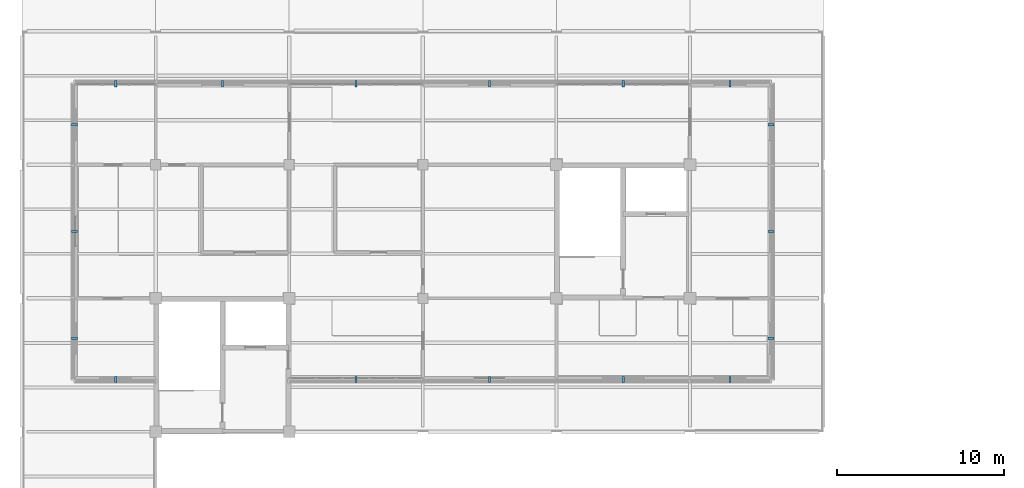
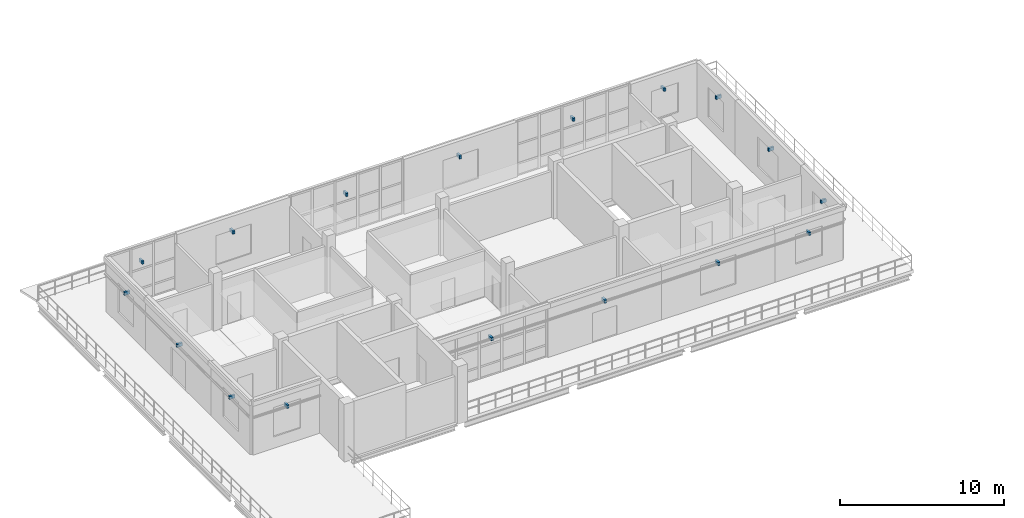
# One storey, part 19 of 24: 17 discrete accessories.
"""IFC4 building model written with IfcOpenShell, lengths in metres."""

from ifc_helpers import new_model, si_unit, derived_unit, direction, frame, origin, origin_2d, place, context, subcontext, project, spatial, rectangle, extrude, material, type_object, element, save


model = new_model("IFC4")

# Units and contexts
model_context = context("Model", 3, precision=1e-05, world=origin(), true_north=direction((0.0, 1.0)))
body_context = subcontext(model_context, "Body", "Model", "MODEL_VIEW")
ifc_project = project(units=[si_unit("LENGTHUNIT", "METRE"), si_unit("AREAUNIT", "SQUARE_METRE"), si_unit("VOLUMEUNIT", "CUBIC_METRE"), si_unit("PLANEANGLEUNIT", "RADIAN"), si_unit("MASSUNIT", "GRAM", prefix="KILO"), derived_unit("THERMALTRANSMITTANCEUNIT", [(si_unit("MASSUNIT", "GRAM", prefix="KILO"), 1), (si_unit("TIMEUNIT", "SECOND"), -3), (si_unit("THERMODYNAMICTEMPERATUREUNIT", "KELVIN"), -1)])], contexts=[model_context])

# Site, building, storey
site_placement = place(None, origin())
site = spatial("IfcSite", under=ifc_project, at=site_placement, CompositionType="ELEMENT")
building_placement = place(site_placement, origin())
building = spatial("IfcBuilding", under=site, at=building_placement, Name="Veyamyaing Civic Hall", CompositionType="ELEMENT")
storey_placement = place(building_placement, frame((0.0, 0.0, 25.739990234375)))
storey = spatial("IfcBuildingStorey", under=building, at=storey_placement, Name="L06", CompositionType="ELEMENT", Elevation=25.739990234375)

# Discrete accessories
ifc_material = material(Name="Steel S355J2", Category="steel")
discrete_accessory_type = type_object("IfcDiscreteAccessoryType", Name="BK-01", PredefinedType="BRACKET", material=ifc_material)
for number, where, z_axis, x_axis, name in (
    (1, (5.60009765625, 91.139892578125, 2.72998046875), (0.0, 0.0, 1.0), (0.0, -1.0, 0.0), "Ribbon bracket BK-01 L06-NW-S-0"),
    (2, (20.0, 91.139892578125, 2.72998046875), (0.0, 0.0, 1.0), (0.0, -1.0, 0.0), "Ribbon bracket BK-01 L06-NW-S-2"),
    (3, (28.0, 91.139892578125, 2.72998046875), (0.0, 0.0, 1.0), (0.0, -1.0, 0.0), "Ribbon bracket BK-01 L06-NW-S-3"),
    (4, (36.0, 91.139892578125, 2.72998046875), (0.0, 0.0, 1.0), (0.0, -1.0, 0.0), "Ribbon bracket BK-01 L06-NW-S-4"),
    (5, (42.39990234375, 91.139892578125, 2.72998046875), (0.0, 0.0, 1.0), (0.0, -1.0, 0.0), "Ribbon bracket BK-01 L06-NW-S-5"),
    (6, (5.60009765625, 108.860107421875, 2.72998046875), (0.0, 0.0, 1.0), (0.0, 1.0, 0.0), "Ribbon bracket BK-01 L06-NW-N-0"),
    (7, (12.0, 108.860107421875, 2.72998046875), (0.0, 0.0, 1.0), (0.0, 1.0, 0.0), "Ribbon bracket BK-01 L06-NW-N-1"),
    (8, (20.0, 108.860107421875, 2.72998046875), (0.0, 0.0, 1.0), (0.0, 1.0, 0.0), "Ribbon bracket BK-01 L06-NW-N-2"),
    (9, (28.0, 108.860107421875, 2.72998046875), (0.0, 0.0, 1.0), (0.0, 1.0, 0.0), "Ribbon bracket BK-01 L06-NW-N-3"),
    (10, (36.0, 108.860107421875, 2.72998046875), (0.0, 0.0, 1.0), (0.0, 1.0, 0.0), "Ribbon bracket BK-01 L06-NW-N-4"),
    (11, (42.39990234375, 108.860107421875, 2.72998046875), (0.0, 0.0, 1.0), (0.0, 1.0, 0.0), "Ribbon bracket BK-01 L06-NW-N-5"),
    (12, (3.139892578125, 93.60009765625, 2.72998046875), (0.0, 0.0, 1.0), (-1.0, 0.0, 0.0), "Ribbon bracket BK-01 L06-NW-W-0"),
    (13, (3.139892578125, 100.0, 2.72998046875), (0.0, 0.0, 1.0), (-1.0, 0.0, 0.0), "Ribbon bracket BK-01 L06-NW-W-1"),
    (14, (3.139892578125, 106.39990234375, 2.72998046875), (0.0, 0.0, 1.0), (-1.0, 0.0, 0.0), "Ribbon bracket BK-01 L06-NW-W-2"),
    (15, (44.860107421875, 93.60009765625, 2.72998046875), (0.0, 0.0, 1.0), (1.0, 0.0, 0.0), "Ribbon bracket BK-01 L06-NW-E-0"),
    (16, (44.860107421875, 100.0, 2.72998046875), (0.0, 0.0, 1.0), (1.0, 0.0, 0.0), "Ribbon bracket BK-01 L06-NW-E-1"),
    (17, (44.860107421875, 106.39990234375, 2.72998046875), (0.0, 0.0, 1.0), (1.0, 0.0, 0.0), "Ribbon bracket BK-01 L06-NW-E-2"),
):
    element("IfcDiscreteAccessory", number, at=place(storey_placement, frame(where, z_axis=z_axis, x_axis=x_axis)), inside=storey, type_object=discrete_accessory_type, Name=name, PredefinedType="BRACKET", context=body_context, shape_type="SweptSolid", body=[
        extrude(rectangle(XDim=0.3798828125, YDim=0.139892578125, at=origin_2d()), origin(), (0.0, 0.0, 1.0), 0.239990234375),
    ])

save(model, "model.ifc")
